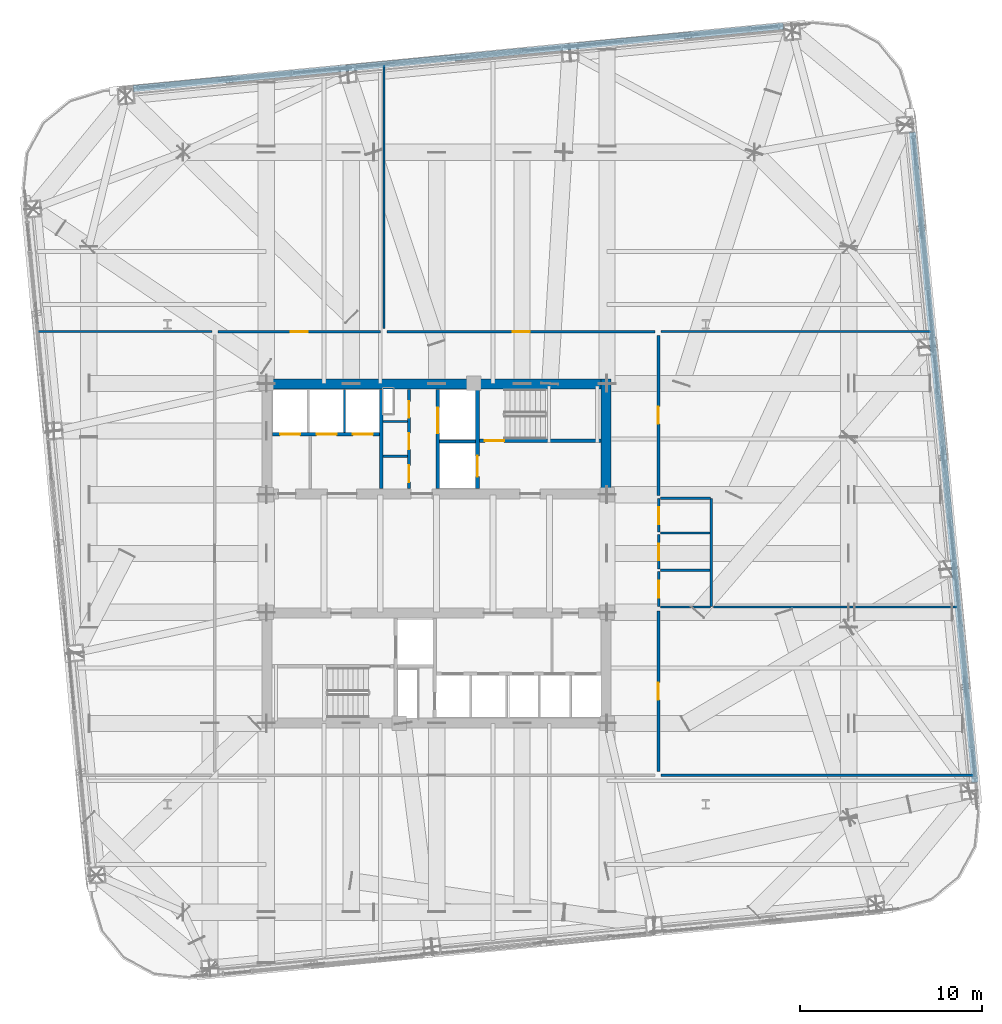
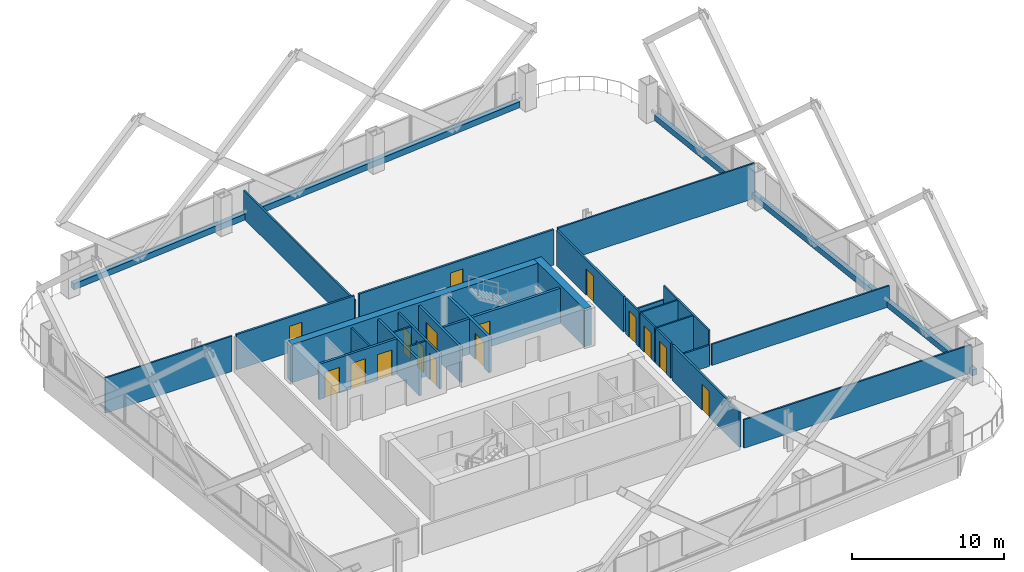
# One storey, part 38 of 42: 31 walls, 16 doors, 16 openings.
"""IFC4 building model written with IfcOpenShell, lengths in metres."""

from ifc_helpers import new_model, si_unit, direction, frame, frame_2d, origin, place, context, subcontext, project, spatial, rectangle, extrude, material, layer, layer_set, type_object, element, fill, save


model = new_model("IFC4")

# Units and contexts
model_context = context("Model", 3, precision=1e-05, world=origin(), true_north=direction((0.0, 1.0)))
body_context = subcontext(model_context, "Body", "Model", "MODEL_VIEW")
ifc_project = project(units=[si_unit("LENGTHUNIT", "METRE"), si_unit("AREAUNIT", "SQUARE_METRE"), si_unit("VOLUMEUNIT", "CUBIC_METRE"), si_unit("PLANEANGLEUNIT", "RADIAN"), si_unit("MASSUNIT", "GRAM", prefix="KILO")], contexts=[model_context])

# Site, building, storey
site_placement = place(None, origin())
site = spatial("IfcSite", under=ifc_project, at=site_placement, CompositionType="ELEMENT")
building_placement = place(site_placement, origin())
building = spatial("IfcBuilding", under=site, at=building_placement, Name="Qhalaya Broadcast Tower", CompositionType="ELEMENT")
storey_placement = place(building_placement, frame((0.0, 0.0, 69.449951171875)))
storey = spatial("IfcBuildingStorey", under=building, at=storey_placement, Name="L19", CompositionType="ELEMENT", Elevation=69.449951171875)

# Wall, openings, doors
ifc_material_1 = material(Name="Gypsum Acoustic Partition")
ifc_layer_1 = layer(ifc_material_1, 0.14990234375, Name="Gypsum Acoustic Partition")
ifc_layer_set_1 = layer_set([ifc_layer_1], Name="Gypsum Acoustic Partition")
wall_type_1 = type_object("IfcWallType", Name="Corridor & Tenancy Acoustic Partition 150", PredefinedType="PARTITIONING", material=ifc_layer_set_1)
wall_1_placement = place(storey_placement, frame((-1.52001953125, 4.169921875, 0.0), z_axis=(0.0, 0.0, 1.0), x_axis=(0.0, 1.0, 0.0)))
wall_1 = element("IfcWall", 1, at=wall_1_placement, inside=storey, type_object=wall_type_1, Name="L19 Partition Wall NCW-SVL", PredefinedType="PARTITIONING", context=body_context, shape_type="SweptSolid", body=[
    extrude(rectangle(XDim=5.4599609375, YDim=0.14990234375, at=frame_2d((2.72998046875, 0.0))), origin(), (0.0, 0.0, 1.0), 2.830078125),
])
opening_1_placement = place(wall_1_placement, frame((3.89990234375, 0.0, 0.0)))
opening_1 = element("IfcOpeningElement", 2, at=opening_1_placement, cuts=wall_1, Name="Opening D06", PredefinedType="OPENING", context=body_context, shape_type="SweptSolid", body=[
    extrude(rectangle(XDim=0.89990234375, YDim=2.050048828125, at=frame_2d((0.449951171875, 1.02490234375))), frame((0.0, 0.0869140625, 0.0), z_axis=(0.0, -1.0, 0.0), x_axis=(1.0, 0.0, 0.0)), (0.0, 0.0, 1.0), 0.173828125),
])
opening_2_placement = place(wall_1_placement, frame((2.14990234375, 0.0, 0.0)))
opening_2 = element("IfcOpeningElement", 3, at=opening_2_placement, cuts=wall_1, Name="Opening D06", PredefinedType="OPENING", context=body_context, shape_type="SweptSolid", body=[
    extrude(rectangle(XDim=0.89990234375, YDim=2.050048828125, at=frame_2d((0.449951171875, 1.02490234375))), frame((0.0, 0.0869140625, 0.0), z_axis=(0.0, -1.0, 0.0), x_axis=(1.0, 0.0, 0.0)), (0.0, 0.0, 1.0), 0.173828125),
])
opening_3_placement = place(wall_1_placement, frame((0.35009765625, 0.0, 0.0)))
opening_3 = element("IfcOpeningElement", 4, at=opening_3_placement, cuts=wall_1, Name="Opening D12", PredefinedType="OPENING", context=body_context, shape_type="SweptSolid", body=[
    extrude(rectangle(XDim=0.919921875, YDim=2.10009765625, at=frame_2d((0.4599609375, 1.050048828125))), frame((0.0, 0.0869140625, 0.0), z_axis=(0.0, -1.0, 0.0), x_axis=(1.0, 0.0, 0.0)), (0.0, 0.0, 1.0), 0.173828125),
])
ifc_material_2 = material(Name="Timber Veneer Acoustic Door", Category="wood")
door_type_1 = type_object("IfcDoorType", Name="Accessible WC & Restroom Door D12", OperationType="NOTDEFINED", PredefinedType="DOOR", material=ifc_material_2)
door_1_placement = place(opening_3_placement, origin())
door_1 = element("IfcDoor", 5, at=door_1_placement, inside=storey, type_object=door_type_1, Name="L19 Door D-NCWC", OperationType="SINGLE_SWING_RIGHT", OverallHeight=2.10009765625, OverallWidth=0.919921875, PredefinedType="DOOR", context=body_context, shape_type="SweptSolid", body=[
    extrude(rectangle(XDim=0.919921875, YDim=2.10009765625, at=frame_2d((0.4599609375, 1.050048828125))), frame((0.0, 0.02490234375, 0.0), z_axis=(0.0, -1.0, 0.0), x_axis=(1.0, 0.0, 0.0)), (0.0, 0.0, 1.0), 0.050048828125),
])
fill(opening_3, door_1)
ifc_material_3 = material(Name="Fire-Rated Steel Door", Category="steel")
door_type_2 = type_object("IfcDoorType", Name="Riser & Electrical Shaft Access Door D06", OperationType="NOTDEFINED", PredefinedType="DOOR", material=ifc_material_3)
door_2_placement = place(opening_1_placement, origin())
door_2 = element("IfcDoor", 6, at=door_2_placement, inside=storey, type_object=door_type_2, Name="L19 Riser Shaft Access Door D-NRSR", OperationType="SINGLE_SWING_RIGHT", OverallHeight=2.050048828125, OverallWidth=0.89990234375, PredefinedType="DOOR", context=body_context, shape_type="SweptSolid", body=[
    extrude(rectangle(XDim=0.89990234375, YDim=2.050048828125, at=frame_2d((0.449951171875, 1.02490234375))), frame((0.0, 0.02490234375, 0.0), z_axis=(0.0, -1.0, 0.0), x_axis=(1.0, 0.0, 0.0)), (0.0, 0.0, 1.0), 0.050048828125),
])
fill(opening_1, door_2)
door_3_placement = place(opening_2_placement, origin())
door_3 = element("IfcDoor", 7, at=door_3_placement, inside=storey, type_object=door_type_2, Name="L19 Door D-NITR", OperationType="SINGLE_SWING_LEFT", OverallHeight=2.050048828125, OverallWidth=0.89990234375, PredefinedType="DOOR", context=body_context, shape_type="SweptSolid", body=[
    extrude(rectangle(XDim=0.89990234375, YDim=2.050048828125, at=frame_2d((0.449951171875, 1.02490234375))), frame((0.0, 0.02490234375, 0.0), z_axis=(0.0, -1.0, 0.0), x_axis=(1.0, 0.0, 0.0)), (0.0, 0.0, 1.0), 0.050048828125),
])
fill(opening_2, door_3)

# Wall, opening, door
wall_2_placement = place(storey_placement, frame((-12.02001953125, 12.800048828125, 0.0), z_axis=(0.0, 0.0, 1.0), x_axis=(1.0, 0.0, 0.0)))
wall_2 = element("IfcWall", 8, at=wall_2_placement, inside=storey, type_object=wall_type_1, Name="L19 Partition Wall W-COR-01", PredefinedType="PARTITIONING", context=body_context, shape_type="SweptSolid", body=[
    extrude(rectangle(XDim=8.93994140625, YDim=0.14990234375, at=frame_2d((4.469970703125, 0.0))), origin(), (0.0, 0.0, 1.0), 2.830078125),
])
opening_4_placement = place(wall_2_placement, frame((3.9951171875, 0.0, 0.0)))
opening_4 = element("IfcOpeningElement", 9, at=opening_4_placement, cuts=wall_2, Name="Opening D10", PredefinedType="OPENING", context=body_context, shape_type="SweptSolid", body=[
    extrude(rectangle(XDim=0.949951171875, YDim=2.10009765625, at=frame_2d((0.47509765625, 1.050048828125))), frame((0.0, 0.0869140625, 0.0), z_axis=(0.0, -1.0, 0.0), x_axis=(1.0, 0.0, 0.0)), (0.0, 0.0, 1.0), 0.173828125),
])
door_type_3 = type_object("IfcDoorType", Name="Cellular Office & Edit Booth Door D10", OperationType="NOTDEFINED", PredefinedType="DOOR", material=ifc_material_2)
door_4_placement = place(opening_4_placement, origin())
door_4 = element("IfcDoor", 10, at=door_4_placement, inside=storey, type_object=door_type_3, Name="L19 Door D-RM01", OperationType="SINGLE_SWING_LEFT", OverallHeight=2.10009765625, OverallWidth=0.949951171875, PredefinedType="DOOR", context=body_context, shape_type="SweptSolid", body=[
    extrude(rectangle(XDim=0.949951171875, YDim=2.10009765625, at=frame_2d((0.47509765625, 1.050048828125))), frame((0.0, 0.02490234375, 0.0), z_axis=(0.0, -1.0, 0.0), x_axis=(1.0, 0.0, 0.0)), (0.0, 0.0, 1.0), 0.050048828125),
])
fill(opening_4, door_4)

wall_3_placement = place(storey_placement, frame((-2.719970703125, 12.800048828125, 0.0), z_axis=(0.0, 0.0, 1.0), x_axis=(1.0, 0.0, 0.0)))
wall_3 = element("IfcWall", 11, at=wall_3_placement, inside=storey, type_object=wall_type_1, Name="L19 Partition Wall W-COR-02", PredefinedType="PARTITIONING", context=body_context, shape_type="SweptSolid", body=[
    extrude(rectangle(XDim=14.739990234375, YDim=0.14990234375, at=frame_2d((7.3701171875, 0.0))), origin(), (0.0, 0.0, 1.0), 2.830078125),
])
opening_5_placement = place(wall_3_placement, frame((6.89501953125, 0.0, 0.0)))
opening_5 = element("IfcOpeningElement", 12, at=opening_5_placement, cuts=wall_3, Name="Opening D10", PredefinedType="OPENING", context=body_context, shape_type="SweptSolid", body=[
    extrude(rectangle(XDim=0.949951171875, YDim=2.10009765625, at=frame_2d((0.47509765625, 1.050048828125))), frame((0.0, 0.0869140625, 0.0), z_axis=(0.0, -1.0, 0.0), x_axis=(1.0, 0.0, 0.0)), (0.0, 0.0, 1.0), 0.173828125),
])
door_5_placement = place(opening_5_placement, origin())
door_5 = element("IfcDoor", 13, at=door_5_placement, inside=storey, type_object=door_type_3, Name="L19 Door D-RM02", OperationType="SINGLE_SWING_RIGHT", OverallHeight=2.10009765625, OverallWidth=0.949951171875, PredefinedType="DOOR", context=body_context, shape_type="SweptSolid", body=[
    extrude(rectangle(XDim=0.949951171875, YDim=2.10009765625, at=frame_2d((0.47509765625, 1.050048828125))), frame((0.0, 0.02490234375, 0.0), z_axis=(0.0, -1.0, 0.0), x_axis=(1.0, 0.0, 0.0)), (0.0, 0.0, 1.0), 0.050048828125),
])
fill(opening_5, door_5)

wall_4_placement = place(storey_placement, frame((12.199951171875, -11.39990234375, 0.0), z_axis=(0.0, 0.0, 1.0), x_axis=(0.0, 1.0, 0.0)))
wall_4 = element("IfcWall", 14, at=wall_4_placement, inside=storey, type_object=wall_type_1, Name="L19 Partition Wall W-COR-05", PredefinedType="PARTITIONING", context=body_context, shape_type="SweptSolid", body=[
    extrude(rectangle(XDim=8.83984375, YDim=0.14990234375, at=frame_2d((4.419921875, 0.0))), origin(), (0.0, 0.0, 1.0), 2.830078125),
])
opening_6_placement = place(wall_4_placement, frame((3.945068359375, 0.0, 0.0)))
opening_6 = element("IfcOpeningElement", 15, at=opening_6_placement, cuts=wall_4, Name="Opening D10", PredefinedType="OPENING", context=body_context, shape_type="SweptSolid", body=[
    extrude(rectangle(XDim=0.949951171875, YDim=2.10009765625, at=frame_2d((0.47509765625, 1.050048828125))), frame((0.0, 0.0869140625, 0.0), z_axis=(0.0, -1.0, 0.0), x_axis=(1.0, 0.0, 0.0)), (0.0, 0.0, 1.0), 0.173828125),
])
door_6_placement = place(opening_6_placement, origin())
door_6 = element("IfcDoor", 16, at=door_6_placement, inside=storey, type_object=door_type_3, Name="L19 Door D-RM05", OperationType="SINGLE_SWING_LEFT", OverallHeight=2.10009765625, OverallWidth=0.949951171875, PredefinedType="DOOR", context=body_context, shape_type="SweptSolid", body=[
    extrude(rectangle(XDim=0.949951171875, YDim=2.10009765625, at=frame_2d((0.47509765625, 1.050048828125))), frame((0.0, 0.02490234375, 0.0), z_axis=(0.0, -1.0, 0.0), x_axis=(1.0, 0.0, 0.0)), (0.0, 0.0, 1.0), 0.050048828125),
])
fill(opening_6, door_6)

wall_5_placement = place(storey_placement, frame((12.199951171875, 3.800048828125, 0.0), z_axis=(0.0, 0.0, 1.0), x_axis=(0.0, 1.0, 0.0)))
wall_5 = element("IfcWall", 17, at=wall_5_placement, inside=storey, type_object=wall_type_1, Name="L19 Partition Wall W-COR-06", PredefinedType="PARTITIONING", context=body_context, shape_type="SweptSolid", body=[
    extrude(rectangle(XDim=8.800048828125, YDim=0.14990234375, at=frame_2d((4.39990234375, 0.0))), origin(), (0.0, 0.0, 1.0), 2.830078125),
])
opening_7_placement = place(wall_5_placement, frame((3.925048828125, 0.0, 0.0)))
opening_7 = element("IfcOpeningElement", 18, at=opening_7_placement, cuts=wall_5, Name="Opening D10", PredefinedType="OPENING", context=body_context, shape_type="SweptSolid", body=[
    extrude(rectangle(XDim=0.949951171875, YDim=2.10009765625, at=frame_2d((0.47509765625, 1.050048828125))), frame((0.0, 0.0869140625, 0.0), z_axis=(0.0, -1.0, 0.0), x_axis=(1.0, 0.0, 0.0)), (0.0, 0.0, 1.0), 0.173828125),
])
door_7_placement = place(opening_7_placement, origin())
door_7 = element("IfcDoor", 19, at=door_7_placement, inside=storey, type_object=door_type_3, Name="L19 Door D-RM06", OperationType="SINGLE_SWING_RIGHT", OverallHeight=2.10009765625, OverallWidth=0.949951171875, PredefinedType="DOOR", context=body_context, shape_type="SweptSolid", body=[
    extrude(rectangle(XDim=0.949951171875, YDim=2.10009765625, at=frame_2d((0.47509765625, 1.050048828125))), frame((0.0, 0.02490234375, 0.0), z_axis=(0.0, -1.0, 0.0), x_axis=(1.0, 0.0, 0.0)), (0.0, 0.0, 1.0), 0.050048828125),
])
fill(opening_7, door_7)

# Walls
ifc_material_4 = material(Name="Precast Concrete C40/50", Category="concrete")
ifc_layer_2 = layer(ifc_material_4, 0.360107421875, Name="Precast Concrete C40/50")
ifc_layer_set_2 = layer_set([ifc_layer_2], Name="Precast Concrete C40/50")
wall_type_2 = type_object("IfcWallType", Name="Insulated Precast Terracotta Exterior Wall 360", PredefinedType="SOLIDWALL", material=ifc_layer_set_2)
for number, where, z_axis, x_axis, name in (
    (20, (26.165771484375, 23.763671875, 0.0), (0.0, 0.0, 1.0), (0.095844621123, -0.995396307308, 0.0), "L19 Cantilever Block Sill Spandrel E"),
    (21, (-16.68359375, 26.165771484375, 0.0), (0.0, 0.0, 1.0), (0.995396307308, 0.095844621123, 0.0), "L19 Cantilever Block Sill Spandrel N"),
):
    element("IfcWall", number, at=place(storey_placement, frame(where, z_axis=z_axis, x_axis=x_axis)), inside=storey, type_object=wall_type_2, Name=name, PredefinedType="SOLIDWALL", context=body_context, shape_type="SweptSolid", body=[
        extrude(rectangle(XDim=35.923828125, YDim=0.360107421875, at=frame_2d((17.9619140625, 0.0))), origin(), (0.0, 0.0, 1.0), 0.47998046875),
    ])

# Wall, opening, door
ifc_material_5 = material(Name="Concrete C50/60", Category="concrete")
ifc_layer_3 = layer(ifc_material_5, 0.199951171875, Name="Concrete C50/60")
ifc_layer_set_3 = layer_set([ifc_layer_3], Name="Concrete C50/60")
wall_type_3 = type_object("IfcWallType", Name="Load-Bearing Stair Shaft Wall 200", PredefinedType="SHEAR", material=ifc_layer_set_3)
wall_6_placement = place(storey_placement, frame((2.360107421875, 6.804931640625, 0.0), z_axis=(0.0, 0.0, 1.0), x_axis=(1.0, 0.0, 0.0)))
wall_6 = element("IfcWall", 22, at=wall_6_placement, inside=storey, type_object=wall_type_3, Name="L19 Stair Core Shear Wall NCW-ST1", PredefinedType="SHEAR", context=body_context, shape_type="SweptSolid", body=[
    extrude(rectangle(XDim=6.669921875, YDim=0.199951171875, at=frame_2d((3.3349609375, 0.0))), origin(), (0.0, 0.0, 1.0), 2.830078125),
])
opening_8_placement = place(wall_6_placement, frame((0.300048828125, 0.0, 0.0)))
opening_8 = element("IfcOpeningElement", 23, at=opening_8_placement, cuts=wall_6, Name="Opening D03", PredefinedType="OPENING", context=body_context, shape_type="SweptSolid", body=[
    extrude(rectangle(XDim=1.050048828125, YDim=2.080078125, at=frame_2d((0.52490234375, 1.0400390625))), frame((0.0, 0.112060546875, 0.0), z_axis=(0.0, -1.0, 0.0), x_axis=(1.0, 0.0, 0.0)), (0.0, 0.0, 1.0), 0.223876953125),
])
door_type_4 = type_object("IfcDoorType", Name="Core Stair Protected Fire Door D03", OperationType="NOTDEFINED", PredefinedType="DOOR", material=ifc_material_3)
door_8_placement = place(opening_8_placement, origin())
door_8 = element("IfcDoor", 24, at=door_8_placement, inside=storey, type_object=door_type_4, Name="L19 Door D-NST1", OperationType="SINGLE_SWING_LEFT", OverallHeight=2.080078125, OverallWidth=1.050048828125, PredefinedType="DOOR", context=body_context, shape_type="SweptSolid", body=[
    extrude(rectangle(XDim=1.050048828125, YDim=2.080078125, at=frame_2d((0.52490234375, 1.0400390625))), frame((0.0, 0.02490234375, 0.0), z_axis=(0.0, -1.0, 0.0), x_axis=(1.0, 0.0, 0.0)), (0.0, 0.0, 1.0), 0.050048828125),
])
fill(opening_8, door_8)

wall_7_placement = place(storey_placement, frame((2.25, 4.169921875, 0.0), z_axis=(0.0, 0.0, 1.0), x_axis=(0.0, 1.0, 0.0)))
wall_7 = element("IfcWall", 25, at=wall_7_placement, inside=storey, type_object=wall_type_3, Name="L19 Stair Core Shear Wall NCW-FF", PredefinedType="SHEAR", context=body_context, shape_type="SweptSolid", body=[
    extrude(rectangle(XDim=5.4599609375, YDim=0.199951171875, at=frame_2d((2.72998046875, 0.0))), origin(), (0.0, 0.0, 1.0), 2.830078125),
])
opening_9_placement = place(wall_7_placement, frame((0.64990234375, 0.0, 0.0)))
opening_9 = element("IfcOpeningElement", 26, at=opening_9_placement, cuts=wall_7, Name="Opening LD2", PredefinedType="OPENING", context=body_context, shape_type="SweptSolid", body=[
    extrude(rectangle(XDim=1.14990234375, YDim=2.080078125, at=frame_2d((0.574951171875, 1.0400390625))), frame((0.0, 0.112060546875, 0.0), z_axis=(0.0, -1.0, 0.0), x_axis=(1.0, 0.0, 0.0)), (0.0, 0.0, 1.0), 0.223876953125),
])
ifc_material_6 = material(Name="Brushed Stainless Steel Lift Door", Category="steel")
door_type_5 = type_object("IfcDoorType", Name="Firefighting Lift Sliding Landing Door LD2", OperationType="DOUBLE_DOOR_SLIDING", PredefinedType="DOOR", material=ifc_material_6)
door_9_placement = place(opening_9_placement, origin())
door_9 = element("IfcDoor", 27, at=door_9_placement, inside=storey, type_object=door_type_5, Name="L19 Door LD-FF1", OperationType="DOUBLE_DOOR_SLIDING", OverallHeight=2.080078125, OverallWidth=1.14990234375, PredefinedType="DOOR", context=body_context, shape_type="SweptSolid", body=[
    extrude(rectangle(XDim=1.14990234375, YDim=2.080078125, at=frame_2d((0.574951171875, 1.0400390625))), frame((0.0, 0.02490234375, 0.0), z_axis=(0.0, -1.0, 0.0), x_axis=(1.0, 0.0, 0.0)), (0.0, 0.0, 1.0), 0.050048828125),
])
fill(opening_9, door_9)

# Walls
ifc_material_7 = material(Name="Concrete C60/75", Category="concrete")
ifc_layer_4 = layer(ifc_material_7, 0.550048828125, Name="Concrete C60/75")
ifc_layer_set_4 = layer_set([ifc_layer_4], Name="Concrete C60/75")
wall_type_4 = type_object("IfcWallType", Name="Lower Split-Core Shear Wall 550", PredefinedType="SHEAR", material=ifc_layer_set_4)
wall_8_placement = place(storey_placement, frame((-9.60009765625, 9.925048828125, 0.0), z_axis=(0.0, 0.0, 1.0), x_axis=(1.0, 0.0, 0.0)))
element("IfcWall", 28, at=wall_8_placement, inside=storey, type_object=wall_type_4, Name="L19 Split-Core Shear Wall CW-NN", PredefinedType="SHEAR", context=body_context, shape_type="SweptSolid", body=[
    extrude(rectangle(XDim=19.2001953125, YDim=0.550048828125, at=frame_2d((9.60009765625, 0.0))), origin(), (0.0, 0.0, 1.0), 3.050048828125),
])
wall_9_placement = place(storey_placement, frame((9.324951171875, 3.60009765625, 0.0), z_axis=(0.0, 0.0, 1.0), x_axis=(0.0, 1.0, 0.0)))
element("IfcWall", 29, at=wall_9_placement, inside=storey, type_object=wall_type_4, Name="L19 Split-Core Shear Wall CW-NE", PredefinedType="SHEAR", context=body_context, shape_type="SweptSolid", body=[
    extrude(rectangle(XDim=6.599853515625, YDim=0.550048828125, at=frame_2d((3.2998046875, 0.0))), origin(), (0.0, 0.0, 1.0), 3.050048828125),
])
ifc_layer_5 = layer(ifc_material_1, 0.1201171875, Name="Gypsum Acoustic Partition")
ifc_layer_set_5 = layer_set([ifc_layer_5], Name="Gypsum Acoustic Partition")
wall_type_5 = type_object("IfcWallType", Name="Office, Booth & Sanitary Partition 120", PredefinedType="PARTITIONING", material=ifc_layer_set_5)
for number, where, z_axis, x_axis, name in (
    (30, (-2.9599609375, 5.949951171875, 0.0), (0.0, 0.0, 1.0), (1.0, 0.0, 0.0), "L19 Partition Wall NCW-VB1"),
    (31, (-2.9599609375, 7.85009765625, 0.0), (0.0, 0.0, 1.0), (1.0, 0.0, 0.0), "L19 Partition Wall NCW-VB2"),
):
    element("IfcWall", number, at=place(storey_placement, frame(where, z_axis=z_axis, x_axis=x_axis)), inside=storey, type_object=wall_type_5, Name=name, PredefinedType="PARTITIONING", context=body_context, shape_type="SweptSolid", body=[
        extrude(rectangle(XDim=1.35986328125, YDim=0.1201171875, at=frame_2d((0.679931640625, 0.0))), origin(), (0.0, 0.0, 1.0), 2.830078125),
    ])
wall_10_placement = place(storey_placement, frame((-5.06005859375, 7.25, 0.0), z_axis=(0.0, 0.0, 1.0), x_axis=(0.0, 1.0, 0.0)))
element("IfcWall", 32, at=wall_10_placement, inside=storey, type_object=wall_type_5, Name="L19 Partition Wall NCW-PD2", PredefinedType="PARTITIONING", context=body_context, shape_type="SweptSolid", body=[
    extrude(rectangle(XDim=2.3798828125, YDim=0.1201171875, at=frame_2d((1.18994140625, 0.0))), origin(), (0.0, 0.0, 1.0), 2.830078125),
])

# Wall, opening, door
wall_11_placement = place(storey_placement, frame((12.219970703125, -2.320068359375, 0.0), z_axis=(0.0, 0.0, 1.0), x_axis=(0.0, 1.0, 0.0)))
wall_11 = element("IfcWall", 33, at=wall_11_placement, inside=storey, type_object=wall_type_5, Name="L19 Partition Wall W-WCWA", PredefinedType="PARTITIONING", context=body_context, shape_type="SweptSolid", body=[
    extrude(rectangle(XDim=1.940185546875, YDim=0.1201171875, at=frame_2d((0.97021484375, 0.0))), origin(), (0.0, 0.0, 1.0), 2.830078125),
])
opening_10_placement = place(wall_11_placement, frame((0.4951171875, 0.0, 0.0)))
opening_10 = element("IfcOpeningElement", 34, at=opening_10_placement, cuts=wall_11, Name="Opening D12", PredefinedType="OPENING", context=body_context, shape_type="SweptSolid", body=[
    extrude(rectangle(XDim=0.919921875, YDim=2.10009765625, at=frame_2d((0.4599609375, 1.050048828125))), frame((0.0, 0.072021484375, 0.0), z_axis=(0.0, -1.0, 0.0), x_axis=(1.0, 0.0, 0.0)), (0.0, 0.0, 1.0), 0.14404296875),
])
door_10_placement = place(opening_10_placement, origin())
door_10 = element("IfcDoor", 35, at=door_10_placement, inside=storey, type_object=door_type_1, Name="L19 Door D-WCA", OperationType="SINGLE_SWING_LEFT", OverallHeight=2.10009765625, OverallWidth=0.919921875, PredefinedType="DOOR", context=body_context, shape_type="SweptSolid", body=[
    extrude(rectangle(XDim=0.919921875, YDim=2.10009765625, at=frame_2d((0.4599609375, 1.050048828125))), frame((0.0, 0.02490234375, 0.0), z_axis=(0.0, -1.0, 0.0), x_axis=(1.0, 0.0, 0.0)), (0.0, 0.0, 1.0), 0.050048828125),
])
fill(opening_10, door_10)

wall_12_placement = place(storey_placement, frame((12.219970703125, -0.25, 0.0), z_axis=(0.0, 0.0, 1.0), x_axis=(0.0, 1.0, 0.0)))
wall_12 = element("IfcWall", 36, at=wall_12_placement, inside=storey, type_object=wall_type_5, Name="L19 Partition Wall W-WCWM", PredefinedType="PARTITIONING", context=body_context, shape_type="SweptSolid", body=[
    extrude(rectangle(XDim=1.89990234375, YDim=0.1201171875, at=frame_2d((0.949951171875, 0.0))), origin(), (0.0, 0.0, 1.0), 2.830078125),
])
opening_11_placement = place(wall_12_placement, frame((0.47509765625, 0.0, 0.0)))
opening_11 = element("IfcOpeningElement", 37, at=opening_11_placement, cuts=wall_12, Name="Opening D12", PredefinedType="OPENING", context=body_context, shape_type="SweptSolid", body=[
    extrude(rectangle(XDim=0.919921875, YDim=2.10009765625, at=frame_2d((0.4599609375, 1.050048828125))), frame((0.0, 0.072021484375, 0.0), z_axis=(0.0, -1.0, 0.0), x_axis=(1.0, 0.0, 0.0)), (0.0, 0.0, 1.0), 0.14404296875),
])
door_11_placement = place(opening_11_placement, origin())
door_11 = element("IfcDoor", 38, at=door_11_placement, inside=storey, type_object=door_type_1, Name="L19 Door D-WCM", OperationType="SINGLE_SWING_RIGHT", OverallHeight=2.10009765625, OverallWidth=0.919921875, PredefinedType="DOOR", context=body_context, shape_type="SweptSolid", body=[
    extrude(rectangle(XDim=0.919921875, YDim=2.10009765625, at=frame_2d((0.4599609375, 1.050048828125))), frame((0.0, 0.02490234375, 0.0), z_axis=(0.0, -1.0, 0.0), x_axis=(1.0, 0.0, 0.0)), (0.0, 0.0, 1.0), 0.050048828125),
])
fill(opening_11, door_11)

wall_13_placement = place(storey_placement, frame((12.219970703125, 1.780029296875, 0.0), z_axis=(0.0, 0.0, 1.0), x_axis=(0.0, 1.0, 0.0)))
wall_13 = element("IfcWall", 39, at=wall_13_placement, inside=storey, type_object=wall_type_5, Name="L19 Partition Wall W-WCWF", PredefinedType="PARTITIONING", context=body_context, shape_type="SweptSolid", body=[
    extrude(rectangle(XDim=1.830078125, YDim=0.1201171875, at=frame_2d((0.9150390625, 0.0))), origin(), (0.0, 0.0, 1.0), 2.830078125),
])
opening_12_placement = place(wall_13_placement, frame((0.43994140625, 0.0, 0.0)))
opening_12 = element("IfcOpeningElement", 40, at=opening_12_placement, cuts=wall_13, Name="Opening D12", PredefinedType="OPENING", context=body_context, shape_type="SweptSolid", body=[
    extrude(rectangle(XDim=0.919921875, YDim=2.10009765625, at=frame_2d((0.4599609375, 1.050048828125))), frame((0.0, 0.072021484375, 0.0), z_axis=(0.0, -1.0, 0.0), x_axis=(1.0, 0.0, 0.0)), (0.0, 0.0, 1.0), 0.14404296875),
])
door_12_placement = place(opening_12_placement, origin())
door_12 = element("IfcDoor", 41, at=door_12_placement, inside=storey, type_object=door_type_1, Name="L19 Door D-WCF", OperationType="SINGLE_SWING_LEFT", OverallHeight=2.10009765625, OverallWidth=0.919921875, PredefinedType="DOOR", context=body_context, shape_type="SweptSolid", body=[
    extrude(rectangle(XDim=0.919921875, YDim=2.10009765625, at=frame_2d((0.4599609375, 1.050048828125))), frame((0.0, 0.02490234375, 0.0), z_axis=(0.0, -1.0, 0.0), x_axis=(1.0, 0.0, 0.0)), (0.0, 0.0, 1.0), 0.050048828125),
])
fill(opening_12, door_12)

# Walls
wall_14_placement = place(storey_placement, frame((15.10009765625, -2.320068359375, 0.0), z_axis=(0.0, 0.0, 1.0), x_axis=(0.0, 1.0, 0.0)))
element("IfcWall", 42, at=wall_14_placement, inside=storey, type_object=wall_type_5, Name="L19 Partition Wall W-WCE", PredefinedType="PARTITIONING", context=body_context, shape_type="SweptSolid", body=[
    extrude(rectangle(XDim=5.93017578125, YDim=0.1201171875, at=frame_2d((2.965087890625, 0.0))), origin(), (0.0, 0.0, 1.0), 2.830078125),
])
for number, where, z_axis, x_axis, name in (
    (43, (12.31005859375, -2.35009765625, 0.0), (0.0, 0.0, 1.0), (1.0, 0.0, 0.0), "L19 Partition Wall W-WCS"),
    (44, (12.31005859375, 3.639892578125, 0.0), (0.0, 0.0, 1.0), (1.0, 0.0, 0.0), "L19 Partition Wall W-WCN"),
):
    element("IfcWall", number, at=place(storey_placement, frame(where, z_axis=z_axis, x_axis=x_axis)), inside=storey, type_object=wall_type_5, Name=name, PredefinedType="PARTITIONING", context=body_context, shape_type="SweptSolid", body=[
        extrude(rectangle(XDim=2.760009765625, YDim=0.1201171875, at=frame_2d((1.3798828125, 0.0))), origin(), (0.0, 0.0, 1.0), 1.692138671875),
    ])
for number, where, z_axis, x_axis, name in (
    (45, (12.31005859375, -0.320068359375, 0.0), (0.0, 0.0, 1.0), (1.0, 0.0, 0.0), "L19 Partition Wall W-WCD1"),
    (46, (12.31005859375, 1.719970703125, 0.0), (0.0, 0.0, 1.0), (1.0, 0.0, 0.0), "L19 Partition Wall W-WCD2"),
):
    element("IfcWall", number, at=place(storey_placement, frame(where, z_axis=z_axis, x_axis=x_axis)), inside=storey, type_object=wall_type_5, Name=name, PredefinedType="PARTITIONING", context=body_context, shape_type="SweptSolid", body=[
        extrude(rectangle(XDim=2.719970703125, YDim=0.1201171875, at=frame_2d((1.35986328125, 0.0))), origin(), (0.0, 0.0, 1.0), 2.830078125),
    ])
wall_15_placement = place(storey_placement, frame((-21.94482421875, 12.800048828125, 0.0), z_axis=(0.0, 0.0, 1.0), x_axis=(1.0, 0.0, 0.0)))
element("IfcWall", 47, at=wall_15_placement, inside=storey, type_object=wall_type_5, Name="L19 Partition Wall W-BNDW1", PredefinedType="PARTITIONING", context=body_context, shape_type="SweptSolid", body=[
    extrude(rectangle(XDim=9.604736328125, YDim=0.1201171875, at=frame_2d((4.80224609375, 0.0))), origin(), (0.0, 0.0, 1.0), 2.830078125),
])
wall_16_placement = place(storey_placement, frame((12.340087890625, 12.800048828125, 0.0), z_axis=(0.0, 0.0, 1.0), x_axis=(1.0, 0.0, 0.0)))
element("IfcWall", 48, at=wall_16_placement, inside=storey, type_object=wall_type_5, Name="L19 Partition Wall W-BNDE1", PredefinedType="PARTITIONING", context=body_context, shape_type="SweptSolid", body=[
    extrude(rectangle(XDim=14.901611328125, YDim=0.1201171875, at=frame_2d((7.45068359375, 0.0))), origin(), (0.0, 0.0, 1.0), 2.830078125),
])
wall_17_placement = place(storey_placement, frame((12.340087890625, -11.60009765625, 0.0), z_axis=(0.0, 0.0, 1.0), x_axis=(1.0, 0.0, 0.0)))
element("IfcWall", 49, at=wall_17_placement, inside=storey, type_object=wall_type_5, Name="L19 Partition Wall W-BNDE2", PredefinedType="PARTITIONING", context=body_context, shape_type="SweptSolid", body=[
    extrude(rectangle(XDim=17.2509765625, YDim=0.1201171875, at=frame_2d((8.62548828125, 0.0))), origin(), (0.0, 0.0, 1.0), 2.274169921875),
])
wall_18_placement = place(storey_placement, frame((-2.89990234375, 12.9599609375, 0.0), z_axis=(0.0, 0.0, 1.0), x_axis=(0.0, 1.0, 0.0)))
element("IfcWall", 50, at=wall_18_placement, inside=storey, type_object=wall_type_5, Name="L19 Partition Wall W-DIVN1", PredefinedType="PARTITIONING", context=body_context, shape_type="SweptSolid", body=[
    extrude(rectangle(XDim=14.55322265625, YDim=0.1201171875, at=frame_2d((7.276611328125, 0.0))), origin(), (0.0, 0.0, 1.0), 2.274169921875),
])
wall_19_placement = place(storey_placement, frame((15.239990234375, -2.35009765625, 0.0), z_axis=(0.0, 0.0, 1.0), x_axis=(1.0, 0.0, 0.0)))
element("IfcWall", 51, at=wall_19_placement, inside=storey, type_object=wall_type_5, Name="L19 Partition Wall W-DIVE-WC", PredefinedType="PARTITIONING", context=body_context, shape_type="SweptSolid", body=[
    extrude(rectangle(XDim=13.46044921875, YDim=0.1201171875, at=frame_2d((6.730224609375, 0.0))), origin(), (0.0, 0.0, 1.0), 1.692138671875),
])

# Wall, opening, door
ifc_layer_6 = layer(ifc_material_1, 0.175048828125, Name="Gypsum Acoustic Partition")
ifc_layer_set_6 = layer_set([ifc_layer_6], Name="Gypsum Acoustic Partition")
wall_type_6 = type_object("IfcWallType", Name="Shaft & Riser Fire Partition 175", PredefinedType="PARTITIONING", material=ifc_layer_set_6)
wall_20_placement = place(storey_placement, frame((0.06005859375, 4.169921875, 0.0), z_axis=(0.0, 0.0, 1.0), x_axis=(0.0, 1.0, 0.0)))
wall_20 = element("IfcWall", 52, at=wall_20_placement, inside=storey, type_object=wall_type_6, Name="L19 Partition Wall NCW-SVW", PredefinedType="PARTITIONING", context=body_context, shape_type="SweptSolid", body=[
    extrude(rectangle(XDim=5.4599609375, YDim=0.175048828125, at=frame_2d((2.72998046875, 0.0))), origin(), (0.0, 0.0, 1.0), 2.830078125),
])
opening_13_placement = place(wall_20_placement, frame((3.050048828125, 0.0, 0.0)))
opening_13 = element("IfcOpeningElement", 53, at=opening_13_placement, cuts=wall_20, Name="Opening LD3", PredefinedType="OPENING", context=body_context, shape_type="SweptSolid", body=[
    extrude(rectangle(XDim=1.39990234375, YDim=2.1201171875, at=frame_2d((0.699951171875, 1.06005859375))), frame((0.0, 0.099609375, 0.0), z_axis=(0.0, -1.0, 0.0), x_axis=(1.0, 0.0, 0.0)), (0.0, 0.0, 1.0), 0.198974609375),
])
door_type_6 = type_object("IfcDoorType", Name="Service Lift Wide Sliding Landing Door LD3", OperationType="DOUBLE_DOOR_SLIDING", PredefinedType="DOOR", material=ifc_material_6)
door_13_placement = place(opening_13_placement, origin())
door_13 = element("IfcDoor", 54, at=door_13_placement, inside=storey, type_object=door_type_6, Name="L19 Door LD-SV1", OperationType="DOUBLE_DOOR_SLIDING", OverallHeight=2.1201171875, OverallWidth=1.39990234375, PredefinedType="DOOR", context=body_context, shape_type="SweptSolid", body=[
    extrude(rectangle(XDim=1.39990234375, YDim=2.1201171875, at=frame_2d((0.699951171875, 1.06005859375))), frame((0.0, 0.02490234375, 0.0), z_axis=(0.0, -1.0, 0.0), x_axis=(1.0, 0.0, 0.0)), (0.0, 0.0, 1.0), 0.050048828125),
])
fill(opening_13, door_13)

# Walls
wall_21_placement = place(storey_placement, frame((0.159912109375, 6.75, 0.0), z_axis=(0.0, 0.0, 1.0), x_axis=(1.0, 0.0, 0.0)))
element("IfcWall", 55, at=wall_21_placement, inside=storey, type_object=wall_type_6, Name="L19 Partition Wall NCW-SVM", PredefinedType="PARTITIONING", context=body_context, shape_type="SweptSolid", body=[
    extrude(rectangle(XDim=1.97998046875, YDim=0.175048828125, at=frame_2d((0.989990234375, 0.0))), origin(), (0.0, 0.0, 1.0), 2.830078125),
])
wall_22_placement = place(storey_placement, frame((-3.0400390625, 4.169921875, 0.0), z_axis=(0.0, 0.0, 1.0), x_axis=(0.0, 1.0, 0.0)))
element("IfcWall", 56, at=wall_22_placement, inside=storey, type_object=wall_type_6, Name="L19 Partition Wall NCW-VRW", PredefinedType="PARTITIONING", context=body_context, shape_type="SweptSolid", body=[
    extrude(rectangle(XDim=5.4599609375, YDim=0.175048828125, at=frame_2d((2.72998046875, 0.0))), origin(), (0.0, 0.0, 1.0), 2.830078125),
])

# Wall, openings, doors
wall_23_placement = place(storey_placement, frame((-9.030029296875, 7.159912109375, 0.0), z_axis=(0.0, 0.0, 1.0), x_axis=(1.0, 0.0, 0.0)))
wall_23 = element("IfcWall", 57, at=wall_23_placement, inside=storey, type_object=wall_type_6, Name="L19 Partition Wall NCW-PLB", PredefinedType="PARTITIONING", context=body_context, shape_type="SweptSolid", body=[
    extrude(rectangle(XDim=5.909912109375, YDim=0.175048828125, at=frame_2d((2.955078125, 0.0))), origin(), (0.0, 0.0, 1.0), 2.830078125),
])
opening_14_placement = place(wall_23_placement, frame((0.429931640625, 0.0, 0.0)))
opening_14 = element("IfcOpeningElement", 58, at=opening_14_placement, cuts=wall_23, Name="Opening LD1", PredefinedType="OPENING", context=body_context, shape_type="SweptSolid", body=[
    extrude(rectangle(XDim=1.10009765625, YDim=2.06005859375, at=frame_2d((0.550048828125, 1.030029296875))), frame((0.0, 0.099609375, 0.0), z_axis=(0.0, -1.0, 0.0), x_axis=(1.0, 0.0, 0.0)), (0.0, 0.0, 1.0), 0.198974609375),
])
opening_15_placement = place(wall_23_placement, frame((2.429931640625, 0.0, 0.0)))
opening_15 = element("IfcOpeningElement", 59, at=opening_15_placement, cuts=wall_23, Name="Opening LD1", PredefinedType="OPENING", context=body_context, shape_type="SweptSolid", body=[
    extrude(rectangle(XDim=1.10009765625, YDim=2.06005859375, at=frame_2d((0.550048828125, 1.030029296875))), frame((0.0, 0.099609375, 0.0), z_axis=(0.0, -1.0, 0.0), x_axis=(1.0, 0.0, 0.0)), (0.0, 0.0, 1.0), 0.198974609375),
])
opening_16_placement = place(wall_23_placement, frame((4.429931640625, 0.0, 0.0)))
opening_16 = element("IfcOpeningElement", 60, at=opening_16_placement, cuts=wall_23, Name="Opening LD1", PredefinedType="OPENING", context=body_context, shape_type="SweptSolid", body=[
    extrude(rectangle(XDim=1.10009765625, YDim=2.06005859375, at=frame_2d((0.550048828125, 1.030029296875))), frame((0.0, 0.099609375, 0.0), z_axis=(0.0, -1.0, 0.0), x_axis=(1.0, 0.0, 0.0)), (0.0, 0.0, 1.0), 0.198974609375),
])
door_type_7 = type_object("IfcDoorType", Name="Passenger Lift Sliding Landing Door LD1", OperationType="DOUBLE_DOOR_SLIDING", PredefinedType="DOOR", material=ifc_material_6)
door_14_placement = place(opening_14_placement, origin())
door_14 = element("IfcDoor", 61, at=door_14_placement, inside=storey, type_object=door_type_7, Name="L19 Door LD-P1", OperationType="DOUBLE_DOOR_SLIDING", OverallHeight=2.06005859375, OverallWidth=1.10009765625, PredefinedType="DOOR", context=body_context, shape_type="SweptSolid", body=[
    extrude(rectangle(XDim=1.10009765625, YDim=2.06005859375, at=frame_2d((0.550048828125, 1.030029296875))), frame((0.0, 0.02490234375, 0.0), z_axis=(0.0, -1.0, 0.0), x_axis=(1.0, 0.0, 0.0)), (0.0, 0.0, 1.0), 0.050048828125),
])
fill(opening_14, door_14)
door_15_placement = place(opening_15_placement, origin())
door_15 = element("IfcDoor", 62, at=door_15_placement, inside=storey, type_object=door_type_7, Name="L19 Door LD-P2", OperationType="DOUBLE_DOOR_SLIDING", OverallHeight=2.06005859375, OverallWidth=1.10009765625, PredefinedType="DOOR", context=body_context, shape_type="SweptSolid", body=[
    extrude(rectangle(XDim=1.10009765625, YDim=2.06005859375, at=frame_2d((0.550048828125, 1.030029296875))), frame((0.0, 0.02490234375, 0.0), z_axis=(0.0, -1.0, 0.0), x_axis=(1.0, 0.0, 0.0)), (0.0, 0.0, 1.0), 0.050048828125),
])
fill(opening_15, door_15)
door_16_placement = place(opening_16_placement, origin())
door_16 = element("IfcDoor", 63, at=door_16_placement, inside=storey, type_object=door_type_7, Name="L19 Door LD-P3", OperationType="DOUBLE_DOOR_SLIDING", OverallHeight=2.06005859375, OverallWidth=1.10009765625, PredefinedType="DOOR", context=body_context, shape_type="SweptSolid", body=[
    extrude(rectangle(XDim=1.10009765625, YDim=2.06005859375, at=frame_2d((0.550048828125, 1.030029296875))), frame((0.0, 0.02490234375, 0.0), z_axis=(0.0, -1.0, 0.0), x_axis=(1.0, 0.0, 0.0)), (0.0, 0.0, 1.0), 0.050048828125),
])
fill(opening_16, door_16)

save(model, "model.ifc")
